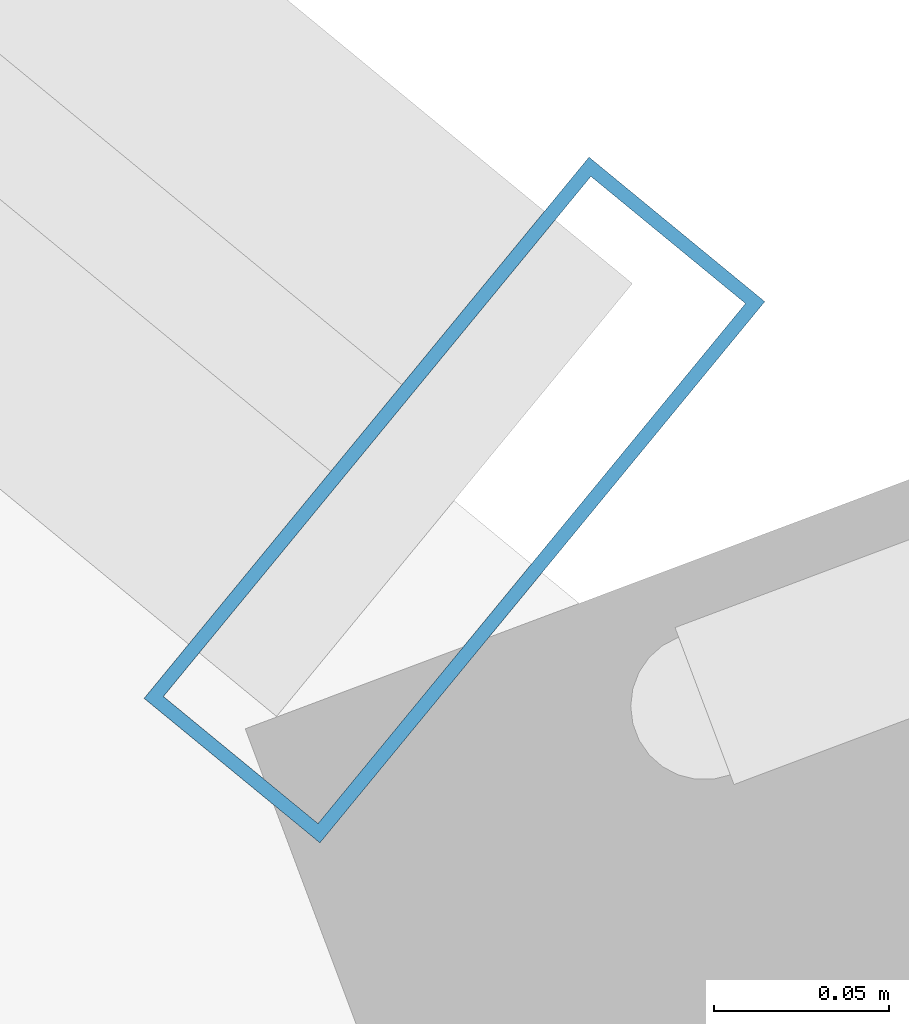
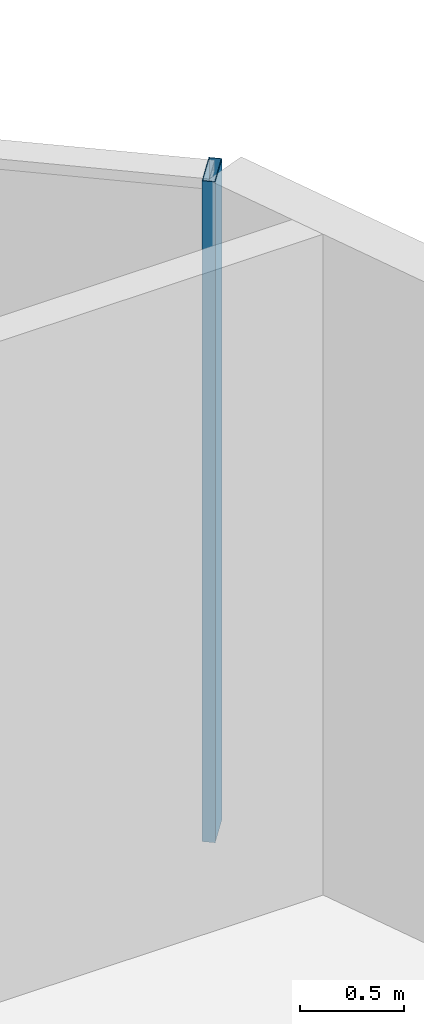
# One storey, part 14 of 22: 1 member, 1 element without a shape of its own.
"""IFC4 building model written with IfcOpenShell, lengths in metres."""

import ifcopenshell
import ifcopenshell.guid

model = None  # the IFC model being written
_history = None  # IfcOwnerHistory: only IFC2X3 demands one
_inside = {}  # id of a spatial element -> (the spatial element, [elements in it])
_under = {}  # id of a project, library or spatial element -> (it, [spatial elements below it])
_declared = {}  # id of a project -> (the project, [libraries it declares])
_typed = {}  # id of a type object -> (the type object, [elements of that type])
_made_of = {}  # id of a material, layer set ... -> (it, [elements and type objects made of it])


def new_model(schema):
    """Start an empty IFC model of exactly this schema.

    Asked for "IFC4X3", IfcOpenShell would pick the latest addendum, in which some entities
    have other attributes; the version numbers below select the first issue.
    IFC2X3 requires an IfcOwnerHistory on every rooted entity: one is made here for all.
    """
    global model, _history
    if schema == "IFC4X3":
        model = ifcopenshell.file(schema_version=(4, 3, 0, 0))
    else:
        model = ifcopenshell.file(schema=schema)
    _inside.clear()
    _under.clear()
    _declared.clear()
    _typed.clear()
    _made_of.clear()
    _history = None
    if model.schema == "IFC2X3":
        org = make("IfcOrganization", Name="unknown")
        user = make(
            "IfcPersonAndOrganization",
            ThePerson=make("IfcPerson", FamilyName="unknown"),
            TheOrganization=org,
        )
        app = make(
            "IfcApplication",
            ApplicationDeveloper=org,
            Version="unknown",
            ApplicationFullName="unknown",
            ApplicationIdentifier="unknown",
        )
        _history = make(
            "IfcOwnerHistory",
            OwningUser=user,
            OwningApplication=app,
            ChangeAction="ADDED",
            CreationDate=0,
        )
    return model


def make(cls, **values):
    """One entity of the class cls with the attributes given. An attribute that is None is left unset."""
    return model.create_entity(
        cls, **{name: value for name, value in values.items() if value is not None}
    )


def rooted(cls, **values):
    """An entity with a GlobalId (a new one), such as an element, a storey or a relation."""
    return make(cls, GlobalId=ifcopenshell.guid.new(), OwnerHistory=_history, **values)


def si_unit(unit_type, name, prefix=None):
    """IfcSIUnit, for example si_unit("LENGTHUNIT", "METRE", prefix="MILLI")."""
    return make("IfcSIUnit", UnitType=unit_type, Prefix=prefix, Name=name)


def assignment(units):
    """IfcUnitAssignment: the units of a project."""
    return None if units is None else make("IfcUnitAssignment", Units=units)


def point(xyz):
    """IfcCartesianPoint."""
    return None if xyz is None else make("IfcCartesianPoint", Coordinates=xyz)


def direction(xyz):
    """IfcDirection."""
    return None if xyz is None else make("IfcDirection", DirectionRatios=xyz)


def frame(location, z_axis=None, x_axis=None):
    """IfcAxis2Placement3D, a coordinate frame: its origin and axes. An axis left out is left unset."""
    return make(
        "IfcAxis2Placement3D",
        Location=point(location),
        Axis=direction(z_axis),
        RefDirection=direction(x_axis),
    )


def frame_2d(location, x_axis=None):
    """IfcAxis2Placement2D, a coordinate frame in the plane: its origin and x axis."""
    return make(
        "IfcAxis2Placement2D", Location=point(location), RefDirection=direction(x_axis)
    )


def origin():
    """The frame at (0, 0, 0) with its axes left unset."""
    return frame((0.0, 0.0, 0.0))


def origin_2d():
    """The frame at (0, 0) in the plane with its x axis left unset."""
    return frame_2d((0.0, 0.0))


def place(relative_to, where):
    """IfcLocalPlacement: puts the frame where relative to a parent placement (None: the world)."""
    return make(
        "IfcLocalPlacement", PlacementRelTo=relative_to, RelativePlacement=where
    )


def context(
    kind, dimensions, precision=None, world=None, true_north=None, identifier=None
):
    """IfcGeometricRepresentationContext, for example the 3D "Model" context."""
    return make(
        "IfcGeometricRepresentationContext",
        ContextIdentifier=identifier,
        ContextType=kind,
        CoordinateSpaceDimension=dimensions,
        Precision=precision,
        WorldCoordinateSystem=world,
        TrueNorth=true_north,
    )


def subcontext(parent, identifier, kind, view, scale=None):
    """IfcGeometricRepresentationSubContext, for example "Body" below "Model"."""
    return make(
        "IfcGeometricRepresentationSubContext",
        ContextIdentifier=identifier,
        ContextType=kind,
        ParentContext=parent,
        TargetScale=scale,
        TargetView=view,
    )


def project(units=None, contexts=None):
    """IfcProject with its units and contexts."""
    return rooted(
        "IfcProject",
        Name="project",
        RepresentationContexts=contexts,
        UnitsInContext=assignment(units),
    )


def spatial(cls, under=None, at=None, **own):
    """A site, building, storey or space (cls), placed at a placement, below another one or the project."""
    s = rooted(cls, ObjectPlacement=at, **own)
    if under is not None:
        _under.setdefault(under.id(), (under, []))[1].append(s)
    return s


def profile(cls, at=None, kind="AREA", **sizes):
    """A parametric profile (cls). Its sizes go by their IFC names, for example OverallWidth=200.0."""
    return make(cls, ProfileType=kind, Position=at, **sizes)


def hollow_rectangle(**sizes):
    """IfcRectangleHollowProfileDef."""
    return profile("IfcRectangleHollowProfileDef", **sizes)


def extrude(swept, where, along, depth):
    """IfcExtrudedAreaSolid: the profile swept, set in the frame where, extruded along a direction by depth."""
    return make(
        "IfcExtrudedAreaSolid",
        SweptArea=swept,
        Position=where,
        ExtrudedDirection=direction(along),
        Depth=depth,
    )


def shape(context_of_items, identifier, shape_type, items):
    """IfcShapeRepresentation: the items that make up one representation, for example the "Body"."""
    return make(
        "IfcShapeRepresentation",
        ContextOfItems=context_of_items,
        RepresentationIdentifier=identifier,
        RepresentationType=shape_type,
        Items=items,
    )


def source(mapping_origin, context_of_items, identifier, shape_type, items):
    """IfcRepresentationMap: a shape defined once, which mapped items show again and again."""
    return make(
        "IfcRepresentationMap",
        MappingOrigin=mapping_origin,
        MappedRepresentation=shape(context_of_items, identifier, shape_type, items),
    )


def transform(
    local_origin,
    x_axis=None,
    y_axis=None,
    z_axis=None,
    scale=None,
    scale2=None,
    scale3=None,
    uniform=True,
):
    """IfcCartesianTransformationOperator3D, or its non-uniform kind. x_axis, y_axis, z_axis: its Axis1, 2, 3."""
    if uniform:
        return make(
            "IfcCartesianTransformationOperator3D",
            Axis1=direction(x_axis),
            Axis2=direction(y_axis),
            LocalOrigin=point(local_origin),
            Scale=scale,
            Axis3=direction(z_axis),
        )
    return make(
        "IfcCartesianTransformationOperator3DnonUniform",
        Axis1=direction(x_axis),
        Axis2=direction(y_axis),
        LocalOrigin=point(local_origin),
        Scale=scale,
        Axis3=direction(z_axis),
        Scale2=scale2,
        Scale3=scale3,
    )


def mapped(mapping_source, mapping_target):
    """IfcMappedItem: shows the shape of a source again, moved by a transform."""
    return make(
        "IfcMappedItem", MappingSource=mapping_source, MappingTarget=mapping_target
    )


def material(Name=None, Category=None):
    """IfcMaterial."""
    return make("IfcMaterial", Name=Name, Category=Category)


def layer(
    of_material, thickness, ventilated=None, Name=None, Category=None, Priority=None
):
    """IfcMaterialLayer: one layer of a wall or slab, of a material (None: an air gap)."""
    return make(
        "IfcMaterialLayer",
        Material=of_material,
        LayerThickness=thickness,
        IsVentilated=ventilated,
        Name=Name,
        Category=Category,
        Priority=Priority,
    )


def layer_set(layers, Name=None):
    """IfcMaterialLayerSet."""
    return make("IfcMaterialLayerSet", MaterialLayers=layers, LayerSetName=Name)


def material_profile(
    of_material, cross_section, Name=None, Category=None, Priority=None
):
    """IfcMaterialProfile: a cross section and its material."""
    return make(
        "IfcMaterialProfile",
        Name=Name,
        Material=of_material,
        Profile=cross_section,
        Priority=Priority,
        Category=Category,
    )


def profile_set(profiles, Name=None, composite=None):
    """IfcMaterialProfileSet."""
    return make(
        "IfcMaterialProfileSet",
        Name=Name,
        MaterialProfiles=profiles,
        CompositeProfile=composite,
    )


def made_of(thing, what):
    """Note that an element or type object is made of a material, layer set ...; save() writes the relation."""
    if what is not None:
        _made_of.setdefault(what.id(), (what, []))[1].append(thing)
    return thing


def type_object(cls, material=None, **own):
    """A type object (cls), such as IfcWallType, which elements share."""
    return made_of(rooted(cls, **own), material)


def element(
    cls,
    number,
    at=None,
    inside=None,
    cuts=None,
    type_object=None,
    material=None,
    context=None,
    identifier="Body",
    shape_type=None,
    held_by="IfcProductDefinitionShape",
    body=None,
    shapes=None,
    **own,
):
    """One element of the class cls, such as IfcWall. Its Tag is "e" and its number.

    at: its placement. inside: the storey or other place that contains it. cuts: it is an
    opening in that element (IfcRelVoidsElement). A single representation is given by context,
    identifier, shape_type and body (its items); several are given by shapes. held_by: the class
    of the entity that holds the representations. save() writes the other relations.
    """
    e = rooted(cls, Tag="e%d" % number, ObjectPlacement=at, **own)
    if body is not None:
        shapes = [shape(context, identifier, shape_type, body)]
    if shapes is not None:
        e.Representation = make(held_by, Representations=shapes)
    if inside is not None:
        _inside.setdefault(inside.id(), (inside, []))[1].append(e)
    if cuts is not None:
        rooted(
            "IfcRelVoidsElement", RelatingBuildingElement=cuts, RelatedOpeningElement=e
        )
    if type_object is not None:
        _typed.setdefault(type_object.id(), (type_object, []))[1].append(e)
    return made_of(e, material)


def aggregate(whole, parts):
    """IfcRelAggregates: a whole, such as a stair, and the parts it consists of."""
    return rooted("IfcRelAggregates", RelatingObject=whole, RelatedObjects=parts)


def save(model, path):
    """Write the relations noted so far, then the file.

    IfcRelAggregates (storeys below a building ...), IfcRelContainedInSpatialStructure (elements
    in a storey), IfcRelDefinesByType, IfcRelAssociatesMaterial and IfcRelDeclares: one each for
    every whole, place, type object, material and project.
    """
    for whole, parts in _under.values():
        aggregate(whole, parts)
    for where, things in _inside.values():
        rooted(
            "IfcRelContainedInSpatialStructure",
            RelatedElements=things,
            RelatingStructure=where,
        )
    for kind, things in _typed.values():
        rooted("IfcRelDefinesByType", RelatedObjects=things, RelatingType=kind)
    for what, things in _made_of.values():
        rooted("IfcRelAssociatesMaterial", RelatedObjects=things, RelatingMaterial=what)
    for by, libraries in _declared.values():
        rooted("IfcRelDeclares", RelatingContext=by, RelatedDefinitions=libraries)
    model.write(path)


model = new_model("IFC4")

# Units and contexts
model_context = context("Model", 3, precision=1e-05, world=origin(), true_north=direction((0.0, 1.0)))
body_context = subcontext(model_context, "Body", "Model", "MODEL_VIEW")
ifc_project = project(units=[si_unit("LENGTHUNIT", "METRE"), si_unit("AREAUNIT", "SQUARE_METRE"), si_unit("VOLUMEUNIT", "CUBIC_METRE"), si_unit("PLANEANGLEUNIT", "RADIAN"), si_unit("MASSUNIT", "GRAM", prefix="KILO")], contexts=[model_context])

# Site, building, storey
site_placement = place(None, origin())
site = spatial("IfcSite", under=ifc_project, at=site_placement, CompositionType="ELEMENT")
building_placement = place(site_placement, origin())
building = spatial("IfcBuilding", under=site, at=building_placement, Name="Veraguas Prism Commons", CompositionType="ELEMENT")
storey_placement = place(building_placement, frame((0.0, 0.0, 240.64990234375)))
storey = spatial("IfcBuildingStorey", under=building, at=storey_placement, Name="L68", CompositionType="ELEMENT", Elevation=240.64990234375)

# Curtain wall, member
ifc_material = material(Name="Anodised aluminium EN AW-6063 T6", Category="aluminium")
ifc_layer = layer(ifc_material, 0.199951171875, Name="Sky Lobby and Pool Acoustic Curtain Wall", Category="aluminium")
ifc_layer_set = layer_set([ifc_layer], Name="Anodised aluminium EN AW-6063 T6")
curtain_wall_type = type_object("IfcCurtainWallType", Name="Sky Lobby and Pool Acoustic Curtain Wall", PredefinedType="NOTDEFINED", material=ifc_layer_set)
curtain_wall_placement = place(storey_placement, origin())
curtain_wall = element("IfcCurtainWall", 1, at=curtain_wall_placement, inside=storey, type_object=curtain_wall_type, Name="Tower Facade Curtain Wall L68-F1", PredefinedType="NOTDEFINED")
ifc_material_profile = material_profile(ifc_material, hollow_rectangle(XDim=0.06494140625, YDim=0.199951171875, WallThickness=0.00390625, at=origin_2d()), Name="AL65X200X4")
ifc_profile_set = profile_set([ifc_material_profile], Name="Anodised aluminium EN AW-6063 T6")
member_type = type_object("IfcMemberType", Name="Curtain Wall Mullion Heavy AL 65x200x4", PredefinedType="MULLION", material=ifc_profile_set)
shared_shape = source(origin(), body_context, "Body", "SweptSolid", [
    extrude(hollow_rectangle(XDim=0.06494140625, YDim=0.199951171875, WallThickness=0.00390625, at=origin_2d()), origin(), (0.0, 0.0, 1.0), 3.864990234375),
])
member_placement = place(storey_placement, frame((40.127197265625, 32.043701171875, 0.0), z_axis=(0.0, 0.0, 1.0), x_axis=(-0.772514180242, 0.634997512849, 0.0)))
member = element("IfcMember", 2, at=member_placement, type_object=member_type, Name="CW-SKY Mullion 1", PredefinedType="MULLION", context=body_context, shape_type="MappedRepresentation", body=[
    mapped(shared_shape, transform((0.0, 0.0, 0.0), scale=1.0)),
])
aggregate(curtain_wall, [member])

save(model, "model.ifc")
